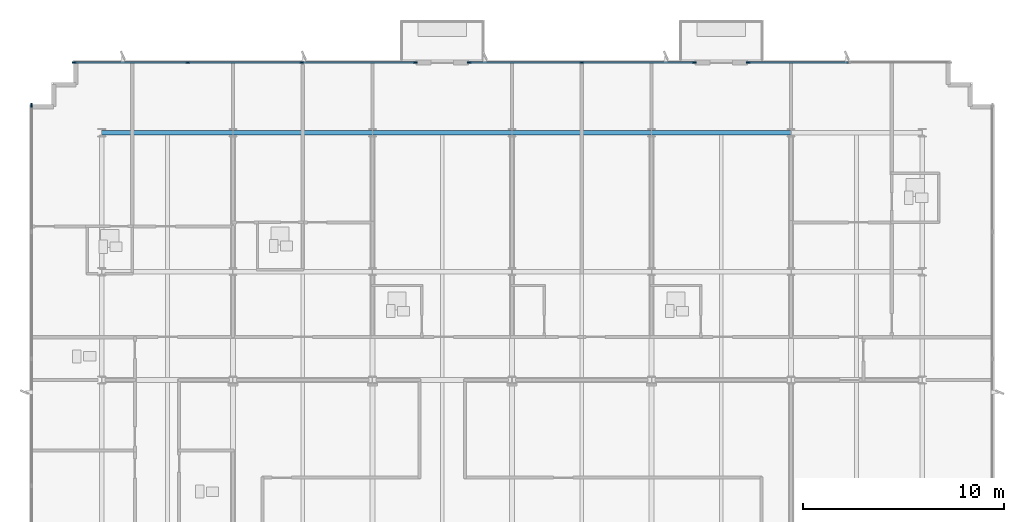
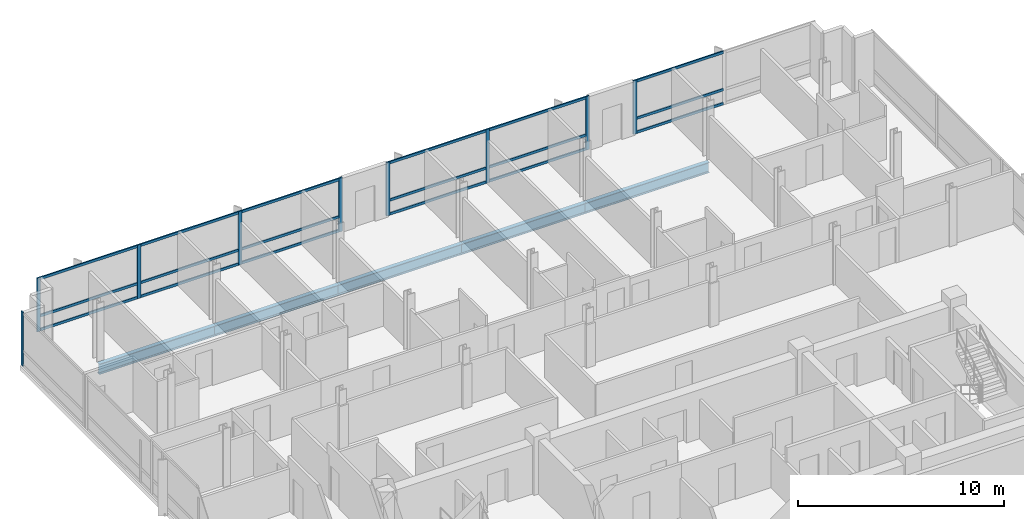
# One storey, part 5 of 14: 27 members, 5 beams, 4 elements without a shape of their own.
"""IFC4 building model written with IfcOpenShell, lengths in metres."""

from ifc_helpers import new_model, si_unit, direction, frame, origin, origin_2d, place, context, subcontext, project, spatial, rectangle, i_section, extrude, material, material_profile, profile_set, type_object, element, aggregate, save


model = new_model("IFC4")

# Units and contexts
model_context = context("Model", 3, precision=1e-05, world=origin(), true_north=direction((0.0, 1.0)))
body_context = subcontext(model_context, "Body", "Model", "MODEL_VIEW")
ifc_project = project(units=[si_unit("LENGTHUNIT", "METRE"), si_unit("AREAUNIT", "SQUARE_METRE"), si_unit("VOLUMEUNIT", "CUBIC_METRE"), si_unit("PLANEANGLEUNIT", "RADIAN"), si_unit("MASSUNIT", "GRAM", prefix="KILO")], contexts=[model_context])

# Site, building, storey
site_placement = place(None, origin())
site = spatial("IfcSite", under=ifc_project, at=site_placement, CompositionType="ELEMENT")
building_placement = place(site_placement, origin())
building = spatial("IfcBuilding", under=site, at=building_placement, Name="Solmavex Isthmus Hotel", CompositionType="ELEMENT")
storey_placement = place(building_placement, frame((0.0, 0.0, 255.75)))
storey = spatial("IfcBuildingStorey", under=building, at=storey_placement, Name="L69", CompositionType="ELEMENT", Elevation=255.75)

# Beams
ifc_material_1 = material(Name="Steel ASTM A992 Grade 50", Category="steel")
ifc_material_profile_1 = material_profile(ifc_material_1, i_section(OverallWidth=0.230224609375, OverallDepth=0.617431640625, WebThickness=0.01318359375, FlangeThickness=0.022216796875, FilletRadius=0.01513671875, at=origin_2d()), Name="W24X94")
ifc_profile_set_1 = profile_set([ifc_material_profile_1], Name="Steel ASTM A992 Grade 50")
beam_type = type_object("IfcBeamType", Name="BM-SP-W24X94", PredefinedType="SPANDREL", material=ifc_profile_set_1)
beam_placement = place(storey_placement, frame((-20.39990234375, 17.699951171875, -0.56884765625), z_axis=(1.0, 0.0, 0.0), x_axis=(0.0, 1.0, 0.0)))
element("IfcBeam", 1, at=beam_placement, inside=storey, type_object=beam_type, Name="Floor Girder L69-UG15", PredefinedType="SPANDREL", context=body_context, shape_type="SweptSolid", body=[
    extrude(i_section(OverallWidth=0.230224609375, OverallDepth=0.617431640625, WebThickness=0.01318359375, FlangeThickness=0.022216796875, FilletRadius=0.01513671875, at=origin_2d()), origin(), (0.0, 0.0, 1.0), 6.52783203125),
])
for number, where, z_axis, x_axis, name in (
    (2, (-13.8720703125, 17.699951171875, -0.56884765625), (1.0, 0.0, 0.0), (0.0, 1.0, 0.0), "Floor Girder L69-UG16"),
    (3, (-6.93603515625, 17.699951171875, -0.56884765625), (1.0, 0.0, 0.0), (0.0, 1.0, 0.0), "Floor Girder L69-UG17"),
    (4, (0.0, 17.699951171875, -0.56884765625), (1.0, 0.0, 0.0), (0.0, 1.0, 0.0), "Floor Girder L69-UG18"),
    (5, (6.93603515625, 17.699951171875, -0.56884765625), (1.0, 0.0, 0.0), (0.0, 1.0, 0.0), "Floor Girder L69-UG19"),
):
    element("IfcBeam", number, at=place(storey_placement, frame(where, z_axis=z_axis, x_axis=x_axis)), inside=storey, type_object=beam_type, Name=name, PredefinedType="SPANDREL", context=body_context, shape_type="SweptSolid", body=[
        extrude(i_section(OverallWidth=0.230224609375, OverallDepth=0.617431640625, WebThickness=0.01318359375, FlangeThickness=0.022216796875, FilletRadius=0.01513671875, at=origin_2d()), origin(), (0.0, 0.0, 1.0), 6.93603515625),
    ])

# Curtain wall, members
ifc_material_2 = material(Name="Aluminium alloy 6063-T6", Category="aluminium")
curtain_wall_type = type_object("IfcCurtainWallType", Name="CW-SYS-04", PredefinedType="NOTDEFINED", material=ifc_material_2)
curtain_wall_1_placement = place(storey_placement, origin())
curtain_wall_1 = element("IfcCurtainWall", 6, at=curtain_wall_1_placement, inside=storey, type_object=curtain_wall_type, Name="Stick Curtain Wall CWL-L69-N1", PredefinedType="NOTDEFINED")
ifc_material_profile_2 = material_profile(ifc_material_2, rectangle(XDim=0.074951171875, YDim=0.199951171875, at=origin_2d()), Name="CWM-75X200")
ifc_profile_set_2 = profile_set([ifc_material_profile_2], Name="Aluminium alloy 6063-T6")
member_type_1 = type_object("IfcMemberType", Name="CW-SYS-04-MUL", PredefinedType="MULLION", material=ifc_profile_set_2)
member_1_placement = place(storey_placement, frame((-21.762451171875, 21.179931640625, 0.0), z_axis=(0.0, 0.0, 1.0), x_axis=(0.0, 1.0, 0.0)))
member_1 = element("IfcMember", 7, at=member_1_placement, type_object=member_type_1, Name="CW-04 mullion 1", PredefinedType="MULLION", context=body_context, shape_type="SweptSolid", body=[
    extrude(rectangle(XDim=0.074951171875, YDim=0.199951171875, at=origin_2d()), origin(), (0.0, 0.0, 1.0), 3.18994140625),
])
member_2_placement = place(storey_placement, frame((-16.12255859375, 21.179931640625, 0.0), z_axis=(0.0, 0.0, 1.0), x_axis=(0.0, 1.0, 0.0)))
member_2 = element("IfcMember", 8, at=member_2_placement, type_object=member_type_1, Name="CW-04 mullion 2", PredefinedType="MULLION", context=body_context, shape_type="SweptSolid", body=[
    extrude(rectangle(XDim=0.074951171875, YDim=0.199951171875, at=origin_2d()), origin(), (0.0, 0.0, 1.0), 3.18994140625),
])
member_3_placement = place(storey_placement, frame((-10.4453125, 21.179931640625, 0.0), z_axis=(0.0, 0.0, 1.0), x_axis=(0.0, 1.0, 0.0)))
member_3 = element("IfcMember", 9, at=member_3_placement, type_object=member_type_1, Name="CW-04 mullion 3", PredefinedType="MULLION", context=body_context, shape_type="SweptSolid", body=[
    extrude(rectangle(XDim=0.074951171875, YDim=0.199951171875, at=origin_2d()), origin(), (0.0, 0.0, 1.0), 3.18994140625),
])
member_4_placement = place(storey_placement, frame((-4.805419921875, 21.179931640625, 0.0), z_axis=(0.0, 0.0, 1.0), x_axis=(0.0, 1.0, 0.0)))
member_4 = element("IfcMember", 10, at=member_4_placement, type_object=member_type_1, Name="CW-04 mullion 4", PredefinedType="MULLION", context=body_context, shape_type="SweptSolid", body=[
    extrude(rectangle(XDim=0.074951171875, YDim=0.199951171875, at=origin_2d()), origin(), (0.0, 0.0, 1.0), 3.18994140625),
])

curtain_wall_2_placement = place(storey_placement, origin())
curtain_wall_2 = element("IfcCurtainWall", 11, at=curtain_wall_2_placement, inside=storey, type_object=curtain_wall_type, Name="Stick Curtain Wall CWL-L69-N2", PredefinedType="NOTDEFINED")
member_5_placement = place(storey_placement, frame((-2.130615234375, 21.179931640625, 0.0), z_axis=(0.0, 0.0, 1.0), x_axis=(0.0, 1.0, 0.0)))
member_5 = element("IfcMember", 12, at=member_5_placement, type_object=member_type_1, Name="CW-04 mullion 1", PredefinedType="MULLION", context=body_context, shape_type="SweptSolid", body=[
    extrude(rectangle(XDim=0.074951171875, YDim=0.199951171875, at=origin_2d()), origin(), (0.0, 0.0, 1.0), 3.18994140625),
])
member_6_placement = place(storey_placement, frame((3.468017578125, 21.179931640625, 0.0), z_axis=(0.0, 0.0, 1.0), x_axis=(0.0, 1.0, 0.0)))
member_6 = element("IfcMember", 13, at=member_6_placement, type_object=member_type_1, Name="CW-04 mullion 2", PredefinedType="MULLION", context=body_context, shape_type="SweptSolid", body=[
    extrude(rectangle(XDim=0.074951171875, YDim=0.199951171875, at=origin_2d()), origin(), (0.0, 0.0, 1.0), 3.18994140625),
])
member_7_placement = place(storey_placement, frame((9.06640625, 21.179931640625, 0.0), z_axis=(0.0, 0.0, 1.0), x_axis=(0.0, 1.0, 0.0)))
member_7 = element("IfcMember", 14, at=member_7_placement, type_object=member_type_1, Name="CW-04 mullion 3", PredefinedType="MULLION", context=body_context, shape_type="SweptSolid", body=[
    extrude(rectangle(XDim=0.074951171875, YDim=0.199951171875, at=origin_2d()), origin(), (0.0, 0.0, 1.0), 3.18994140625),
])

# Curtain wall, member
curtain_wall_3_placement = place(storey_placement, origin())
curtain_wall_3 = element("IfcCurtainWall", 15, at=curtain_wall_3_placement, inside=storey, type_object=curtain_wall_type, Name="Stick Curtain Wall CWL-L69-N3", PredefinedType="NOTDEFINED")
member_8_placement = place(storey_placement, frame((11.741455078125, 21.179931640625, 0.0), z_axis=(0.0, 0.0, 1.0), x_axis=(0.0, 1.0, 0.0)))
member_8 = element("IfcMember", 16, at=member_8_placement, type_object=member_type_1, Name="CW-04 mullion 1", PredefinedType="MULLION", context=body_context, shape_type="SweptSolid", body=[
    extrude(rectangle(XDim=0.074951171875, YDim=0.199951171875, at=origin_2d()), origin(), (0.0, 0.0, 1.0), 3.18994140625),
])

curtain_wall_4_placement = place(storey_placement, origin())
curtain_wall_4 = element("IfcCurtainWall", 17, at=curtain_wall_4_placement, inside=storey, type_object=curtain_wall_type, Name="Stick Curtain Wall CWL-L69-W1", PredefinedType="NOTDEFINED")
member_9_placement = place(storey_placement, frame((-23.8798828125, 19.0625, 0.0), z_axis=(0.0, 0.0, 1.0), x_axis=(-1.0, 0.0, 0.0)))
member_9 = element("IfcMember", 18, at=member_9_placement, type_object=member_type_1, Name="CW-04 mullion 6", PredefinedType="MULLION", context=body_context, shape_type="SweptSolid", body=[
    extrude(rectangle(XDim=0.074951171875, YDim=0.199951171875, at=origin_2d()), origin(), (0.0, 0.0, 1.0), 3.18994140625),
])
aggregate(curtain_wall_4, [member_9])

# Member
ifc_material_profile_3 = material_profile(ifc_material_2, rectangle(XDim=0.074951171875, YDim=0.14990234375, at=origin_2d()), Name="CWT-75X150")
ifc_profile_set_3 = profile_set([ifc_material_profile_3], Name="Aluminium alloy 6063-T6")
member_type_2 = type_object("IfcMemberType", Name="CW-SYS-04-TRN", PredefinedType="USERDEFINED", material=ifc_profile_set_3)
member_10_placement = place(storey_placement, frame((-21.72509765625, 21.179931640625, 0.074951171875), z_axis=(1.0, 0.0, 0.0), x_axis=(0.0, 1.0, 0.0)))
member_10 = element("IfcMember", 19, at=member_10_placement, type_object=member_type_2, Name="CW-04 transom 1.1", ObjectType="TRANSOM", PredefinedType="USERDEFINED", context=body_context, shape_type="SweptSolid", body=[
    extrude(rectangle(XDim=0.074951171875, YDim=0.14990234375, at=origin_2d()), origin(), (0.0, 0.0, 1.0), 5.56494140625),
])

member_11_placement = place(storey_placement, frame((-21.72509765625, 21.179931640625, 0.89990234375), z_axis=(1.0, 0.0, 0.0), x_axis=(0.0, 1.0, 0.0)))
member_11 = element("IfcMember", 20, at=member_11_placement, type_object=member_type_2, Name="CW-04 transom 1.2", ObjectType="TRANSOM", PredefinedType="USERDEFINED", context=body_context, shape_type="SweptSolid", body=[
    extrude(rectangle(XDim=0.074951171875, YDim=0.14990234375, at=origin_2d()), origin(), (0.0, 0.0, 1.0), 5.56494140625),
])

member_12_placement = place(storey_placement, frame((-21.72509765625, 21.179931640625, 3.114990234375), z_axis=(1.0, 0.0, 0.0), x_axis=(0.0, 1.0, 0.0)))
member_12 = element("IfcMember", 21, at=member_12_placement, type_object=member_type_2, Name="CW-04 transom 1.3", ObjectType="TRANSOM", PredefinedType="USERDEFINED", context=body_context, shape_type="SweptSolid", body=[
    extrude(rectangle(XDim=0.074951171875, YDim=0.14990234375, at=origin_2d()), origin(), (0.0, 0.0, 1.0), 5.56494140625),
])

member_13_placement = place(storey_placement, frame((-16.085205078125, 21.179931640625, 0.074951171875), z_axis=(1.0, 0.0, 0.0), x_axis=(0.0, 1.0, 0.0)))
member_13 = element("IfcMember", 22, at=member_13_placement, type_object=member_type_2, Name="CW-04 transom 2.1", ObjectType="TRANSOM", PredefinedType="USERDEFINED", context=body_context, shape_type="SweptSolid", body=[
    extrude(rectangle(XDim=0.074951171875, YDim=0.14990234375, at=origin_2d()), origin(), (0.0, 0.0, 1.0), 5.602294921875),
])

member_14_placement = place(storey_placement, frame((-16.085205078125, 21.179931640625, 0.89990234375), z_axis=(1.0, 0.0, 0.0), x_axis=(0.0, 1.0, 0.0)))
member_14 = element("IfcMember", 23, at=member_14_placement, type_object=member_type_2, Name="CW-04 transom 2.2", ObjectType="TRANSOM", PredefinedType="USERDEFINED", context=body_context, shape_type="SweptSolid", body=[
    extrude(rectangle(XDim=0.074951171875, YDim=0.14990234375, at=origin_2d()), origin(), (0.0, 0.0, 1.0), 5.602294921875),
])

member_15_placement = place(storey_placement, frame((-16.085205078125, 21.179931640625, 3.114990234375), z_axis=(1.0, 0.0, 0.0), x_axis=(0.0, 1.0, 0.0)))
member_15 = element("IfcMember", 24, at=member_15_placement, type_object=member_type_2, Name="CW-04 transom 2.3", ObjectType="TRANSOM", PredefinedType="USERDEFINED", context=body_context, shape_type="SweptSolid", body=[
    extrude(rectangle(XDim=0.074951171875, YDim=0.14990234375, at=origin_2d()), origin(), (0.0, 0.0, 1.0), 5.602294921875),
])

member_16_placement = place(storey_placement, frame((-10.40771484375, 21.179931640625, 0.074951171875), z_axis=(1.0, 0.0, 0.0), x_axis=(0.0, 1.0, 0.0)))
member_16 = element("IfcMember", 25, at=member_16_placement, type_object=member_type_2, Name="CW-04 transom 3.1", ObjectType="TRANSOM", PredefinedType="USERDEFINED", context=body_context, shape_type="SweptSolid", body=[
    extrude(rectangle(XDim=0.074951171875, YDim=0.14990234375, at=origin_2d()), origin(), (0.0, 0.0, 1.0), 5.564697265625),
])

member_17_placement = place(storey_placement, frame((-10.40771484375, 21.179931640625, 0.89990234375), z_axis=(1.0, 0.0, 0.0), x_axis=(0.0, 1.0, 0.0)))
member_17 = element("IfcMember", 26, at=member_17_placement, type_object=member_type_2, Name="CW-04 transom 3.2", ObjectType="TRANSOM", PredefinedType="USERDEFINED", context=body_context, shape_type="SweptSolid", body=[
    extrude(rectangle(XDim=0.074951171875, YDim=0.14990234375, at=origin_2d()), origin(), (0.0, 0.0, 1.0), 5.564697265625),
])

member_18_placement = place(storey_placement, frame((-10.40771484375, 21.179931640625, 3.114990234375), z_axis=(1.0, 0.0, 0.0), x_axis=(0.0, 1.0, 0.0)))
member_18 = element("IfcMember", 27, at=member_18_placement, type_object=member_type_2, Name="CW-04 transom 3.3", ObjectType="TRANSOM", PredefinedType="USERDEFINED", context=body_context, shape_type="SweptSolid", body=[
    extrude(rectangle(XDim=0.074951171875, YDim=0.14990234375, at=origin_2d()), origin(), (0.0, 0.0, 1.0), 5.564697265625),
])

aggregate(curtain_wall_1, [member_1, member_2, member_3, member_4, member_10, member_11, member_12, member_13, member_14, member_15, member_16, member_17, member_18])

member_19_placement = place(storey_placement, frame((-2.093017578125, 21.179931640625, 0.074951171875), z_axis=(1.0, 0.0, 0.0), x_axis=(0.0, 1.0, 0.0)))
member_19 = element("IfcMember", 28, at=member_19_placement, type_object=member_type_2, Name="CW-04 transom 1.1", ObjectType="TRANSOM", PredefinedType="USERDEFINED", context=body_context, shape_type="SweptSolid", body=[
    extrude(rectangle(XDim=0.074951171875, YDim=0.14990234375, at=origin_2d()), origin(), (0.0, 0.0, 1.0), 5.5234375),
])

member_20_placement = place(storey_placement, frame((-2.093017578125, 21.179931640625, 0.89990234375), z_axis=(1.0, 0.0, 0.0), x_axis=(0.0, 1.0, 0.0)))
member_20 = element("IfcMember", 29, at=member_20_placement, type_object=member_type_2, Name="CW-04 transom 1.2", ObjectType="TRANSOM", PredefinedType="USERDEFINED", context=body_context, shape_type="SweptSolid", body=[
    extrude(rectangle(XDim=0.074951171875, YDim=0.14990234375, at=origin_2d()), origin(), (0.0, 0.0, 1.0), 5.5234375),
])

member_21_placement = place(storey_placement, frame((-2.093017578125, 21.179931640625, 3.114990234375), z_axis=(1.0, 0.0, 0.0), x_axis=(0.0, 1.0, 0.0)))
member_21 = element("IfcMember", 30, at=member_21_placement, type_object=member_type_2, Name="CW-04 transom 1.3", ObjectType="TRANSOM", PredefinedType="USERDEFINED", context=body_context, shape_type="SweptSolid", body=[
    extrude(rectangle(XDim=0.074951171875, YDim=0.14990234375, at=origin_2d()), origin(), (0.0, 0.0, 1.0), 5.5234375),
])

member_22_placement = place(storey_placement, frame((3.505615234375, 21.179931640625, 0.074951171875), z_axis=(1.0, 0.0, 0.0), x_axis=(0.0, 1.0, 0.0)))
member_22 = element("IfcMember", 31, at=member_22_placement, type_object=member_type_2, Name="CW-04 transom 2.1", ObjectType="TRANSOM", PredefinedType="USERDEFINED", context=body_context, shape_type="SweptSolid", body=[
    extrude(rectangle(XDim=0.074951171875, YDim=0.14990234375, at=origin_2d()), origin(), (0.0, 0.0, 1.0), 5.5234375),
])

member_23_placement = place(storey_placement, frame((3.505615234375, 21.179931640625, 0.89990234375), z_axis=(1.0, 0.0, 0.0), x_axis=(0.0, 1.0, 0.0)))
member_23 = element("IfcMember", 32, at=member_23_placement, type_object=member_type_2, Name="CW-04 transom 2.2", ObjectType="TRANSOM", PredefinedType="USERDEFINED", context=body_context, shape_type="SweptSolid", body=[
    extrude(rectangle(XDim=0.074951171875, YDim=0.14990234375, at=origin_2d()), origin(), (0.0, 0.0, 1.0), 5.5234375),
])

member_24_placement = place(storey_placement, frame((3.505615234375, 21.179931640625, 3.114990234375), z_axis=(1.0, 0.0, 0.0), x_axis=(0.0, 1.0, 0.0)))
member_24 = element("IfcMember", 33, at=member_24_placement, type_object=member_type_2, Name="CW-04 transom 2.3", ObjectType="TRANSOM", PredefinedType="USERDEFINED", context=body_context, shape_type="SweptSolid", body=[
    extrude(rectangle(XDim=0.074951171875, YDim=0.14990234375, at=origin_2d()), origin(), (0.0, 0.0, 1.0), 5.5234375),
])

aggregate(curtain_wall_2, [member_5, member_6, member_7, member_19, member_20, member_21, member_22, member_23, member_24])

member_25_placement = place(storey_placement, frame((11.779052734375, 21.179931640625, 0.074951171875), z_axis=(1.0, 0.0, 0.0), x_axis=(0.0, 1.0, 0.0)))
member_25 = element("IfcMember", 34, at=member_25_placement, type_object=member_type_2, Name="CW-04 transom 1.1", ObjectType="TRANSOM", PredefinedType="USERDEFINED", context=body_context, shape_type="SweptSolid", body=[
    extrude(rectangle(XDim=0.074951171875, YDim=0.14990234375, at=origin_2d()), origin(), (0.0, 0.0, 1.0), 4.935546875),
])

member_26_placement = place(storey_placement, frame((11.779052734375, 21.179931640625, 0.89990234375), z_axis=(1.0, 0.0, 0.0), x_axis=(0.0, 1.0, 0.0)))
member_26 = element("IfcMember", 35, at=member_26_placement, type_object=member_type_2, Name="CW-04 transom 1.2", ObjectType="TRANSOM", PredefinedType="USERDEFINED", context=body_context, shape_type="SweptSolid", body=[
    extrude(rectangle(XDim=0.074951171875, YDim=0.14990234375, at=origin_2d()), origin(), (0.0, 0.0, 1.0), 4.935546875),
])

member_27_placement = place(storey_placement, frame((11.779052734375, 21.179931640625, 3.114990234375), z_axis=(1.0, 0.0, 0.0), x_axis=(0.0, 1.0, 0.0)))
member_27 = element("IfcMember", 36, at=member_27_placement, type_object=member_type_2, Name="CW-04 transom 1.3", ObjectType="TRANSOM", PredefinedType="USERDEFINED", context=body_context, shape_type="SweptSolid", body=[
    extrude(rectangle(XDim=0.074951171875, YDim=0.14990234375, at=origin_2d()), origin(), (0.0, 0.0, 1.0), 4.935546875),
])

aggregate(curtain_wall_3, [member_8, member_25, member_26, member_27])

save(model, "model.ifc")
